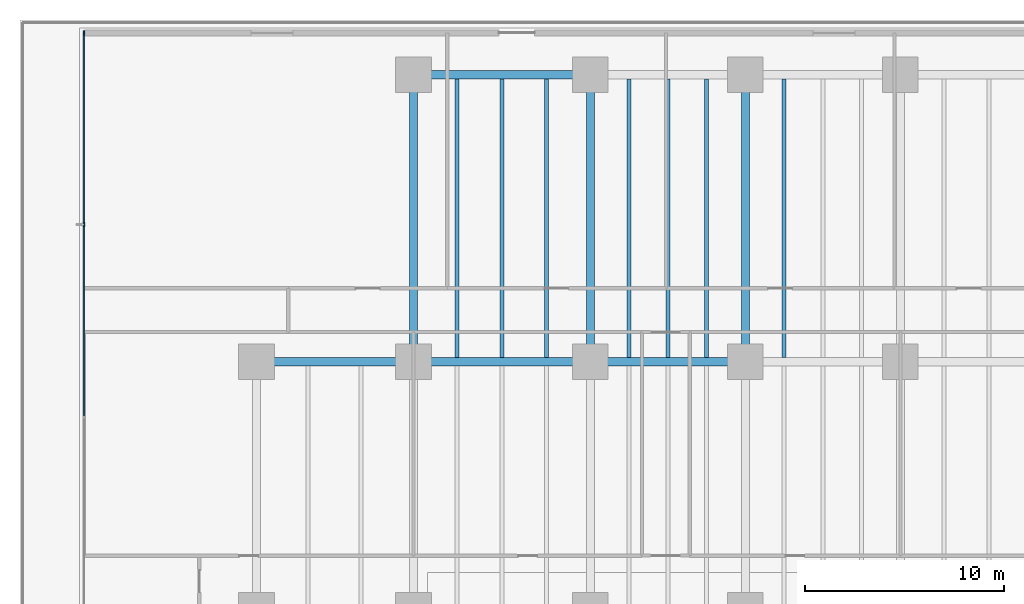
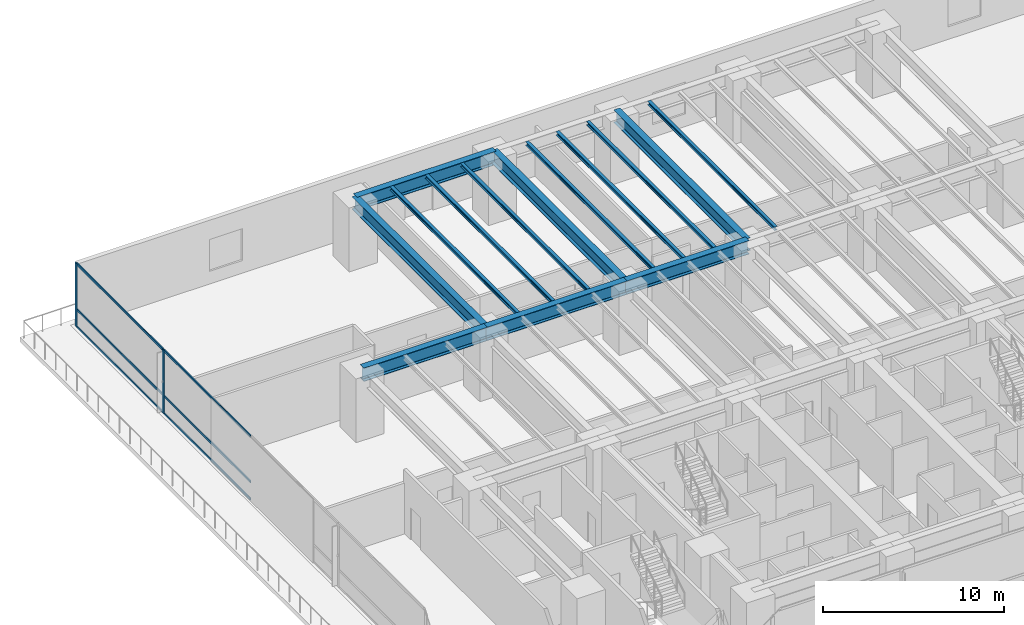
# One storey, part 4 of 24: 14 beams, 8 members, 1 element without a shape of its own.
"""IFC4 building model written with IfcOpenShell, lengths in metres."""

from ifc_helpers import new_model, si_unit, direction, frame, origin, origin_2d, place, context, subcontext, project, spatial, rectangle, i_section, extrude, material, layer, layer_set, material_profile, profile_set, type_object, element, aggregate, save


model = new_model("IFC4")

# Units and contexts
model_context = context("Model", 3, precision=1e-05, world=origin(), true_north=direction((0.0, 1.0)))
body_context = subcontext(model_context, "Body", "Model", "MODEL_VIEW")
ifc_project = project(units=[si_unit("LENGTHUNIT", "METRE"), si_unit("AREAUNIT", "SQUARE_METRE"), si_unit("VOLUMEUNIT", "CUBIC_METRE"), si_unit("PLANEANGLEUNIT", "RADIAN"), si_unit("MASSUNIT", "GRAM", prefix="KILO")], contexts=[model_context])

# Site, building, storey
site_placement = place(None, origin())
site = spatial("IfcSite", under=ifc_project, at=site_placement, CompositionType="ELEMENT")
building_placement = place(site_placement, origin())
building = spatial("IfcBuilding", under=site, at=building_placement, Name="Qalmaran Belvedere Hotel", CompositionType="ELEMENT")
storey_placement = place(building_placement, frame((0.0, 0.0, 14.60009765625)))
storey = spatial("IfcBuildingStorey", under=building, at=storey_placement, Name="L03", CompositionType="ELEMENT", Elevation=14.60009765625)

# Beams
ifc_material_1 = material(Name="Steel S355JR", Category="steel")
ifc_material_profile_1 = material_profile(ifc_material_1, i_section(OverallWidth=0.201904296875, OverallDepth=0.2470703125, WebThickness=0.00732421875, FlangeThickness=0.010986328125, FilletRadius=0.011962890625, at=origin_2d()), Name="W250X49")
ifc_profile_set_1 = profile_set([ifc_material_profile_1], Name="Steel S355JR")
beam_type_1 = type_object("IfcBeamType", Name="BM-JST-W250X49", PredefinedType="JOIST", material=ifc_profile_set_1)
for number, where, z_axis, x_axis, name in (
    (1, (22.5, 33.20703125, 4.176513671875), (0.0, 1.0, 0.0), (-1.0, 0.0, 0.0), "L03 Podium North-Ballroom Joist 044"),
    (2, (24.75, 33.20703125, 4.176513671875), (0.0, 1.0, 0.0), (-1.0, 0.0, 0.0), "L03 Podium North-Ballroom Joist 046"),
    (3, (27.0, 33.20703125, 4.176513671875), (0.0, 1.0, 0.0), (-1.0, 0.0, 0.0), "L03 Podium North-Ballroom Joist 048"),
    (4, (31.14990234375, 33.20703125, 4.176513671875), (0.0, 1.0, 0.0), (-1.0, 0.0, 0.0), "L03 Podium North-Ballroom Joist 050"),
    (5, (33.10009765625, 33.20703125, 4.176513671875), (0.0, 1.0, 0.0), (-1.0, 0.0, 0.0), "L03 Podium North-Ballroom Joist 052"),
    (6, (35.050048828125, 33.20703125, 4.176513671875), (0.0, 1.0, 0.0), (-1.0, 0.0, 0.0), "L03 Podium North-Ballroom Joist 054"),
    (7, (38.949951171875, 33.20703125, 4.176513671875), (0.0, 1.0, 0.0), (-1.0, 0.0, 0.0), "L03 Podium North-Ballroom Joist 056"),
):
    element("IfcBeam", number, at=place(storey_placement, frame(where, z_axis=z_axis, x_axis=x_axis)), inside=storey, type_object=beam_type_1, Name=name, PredefinedType="JOIST", context=body_context, shape_type="SweptSolid", body=[
        extrude(i_section(OverallWidth=0.201904296875, OverallDepth=0.2470703125, WebThickness=0.00732421875, FlangeThickness=0.010986328125, FilletRadius=0.011962890625, at=origin_2d()), origin(), (0.0, 0.0, 1.0), 14.035888671875),
    ])
ifc_material_profile_2 = material_profile(ifc_material_1, i_section(OverallWidth=0.41796875, OverallDepth=0.912109375, WebThickness=0.019287109375, FlangeThickness=0.031982421875, FilletRadius=0.02392578125, at=origin_2d()), Name="W920X342")
ifc_profile_set_2 = profile_set([ifc_material_profile_2], Name="Steel S355JR")
beam_type_2 = type_object("IfcBeamType", Name="BM-PG2-W920X342", PredefinedType="USERDEFINED", material=ifc_profile_set_2)
beam_1_placement = place(storey_placement, frame((12.39990234375, 33.0, 3.843994140625), z_axis=(1.0, 0.0, 0.0), x_axis=(0.0, 1.0, 0.0)))
element("IfcBeam", 8, at=beam_1_placement, inside=storey, type_object=beam_type_2, Name="L03 Podium Primary Girder GX12", ObjectType="GIRDER", PredefinedType="USERDEFINED", context=body_context, shape_type="SweptSolid", body=[
    extrude(i_section(OverallWidth=0.41796875, OverallDepth=0.912109375, WebThickness=0.019287109375, FlangeThickness=0.031982421875, FilletRadius=0.02392578125, at=origin_2d()), origin(), (0.0, 0.0, 1.0), 7.900146484375),
])
beam_2_placement = place(storey_placement, frame((20.300048828125, 33.0, 3.843994140625), z_axis=(1.0, 0.0, 0.0), x_axis=(0.0, 1.0, 0.0)))
element("IfcBeam", 9, at=beam_2_placement, inside=storey, type_object=beam_type_2, Name="L03 Podium Primary Girder GX13", ObjectType="GIRDER", PredefinedType="USERDEFINED", context=body_context, shape_type="SweptSolid", body=[
    extrude(i_section(OverallWidth=0.41796875, OverallDepth=0.912109375, WebThickness=0.019287109375, FlangeThickness=0.031982421875, FilletRadius=0.02392578125, at=origin_2d()), origin(), (0.0, 0.0, 1.0), 8.89990234375),
])
beam_3_placement = place(storey_placement, frame((29.199951171875, 33.0, 3.843994140625), z_axis=(1.0, 0.0, 0.0), x_axis=(0.0, 1.0, 0.0)))
element("IfcBeam", 10, at=beam_3_placement, inside=storey, type_object=beam_type_2, Name="L03 Podium Primary Girder GX14", ObjectType="GIRDER", PredefinedType="USERDEFINED", context=body_context, shape_type="SweptSolid", body=[
    extrude(i_section(OverallWidth=0.41796875, OverallDepth=0.912109375, WebThickness=0.019287109375, FlangeThickness=0.031982421875, FilletRadius=0.02392578125, at=origin_2d()), origin(), (0.0, 0.0, 1.0), 7.800048828125),
])
beam_4_placement = place(storey_placement, frame((20.300048828125, 47.449951171875, 3.843994140625), z_axis=(1.0, 0.0, 0.0), x_axis=(0.0, 1.0, 0.0)))
element("IfcBeam", 11, at=beam_4_placement, inside=storey, type_object=beam_type_2, Name="L03 Podium Primary Girder GX18", ObjectType="GIRDER", PredefinedType="USERDEFINED", context=body_context, shape_type="SweptSolid", body=[
    extrude(i_section(OverallWidth=0.41796875, OverallDepth=0.912109375, WebThickness=0.019287109375, FlangeThickness=0.031982421875, FilletRadius=0.02392578125, at=origin_2d()), origin(), (0.0, 0.0, 1.0), 8.89990234375),
])
ifc_material_profile_3 = material_profile(ifc_material_1, i_section(OverallWidth=0.39990234375, OverallDepth=0.85498046875, WebThickness=0.018310546875, FlangeThickness=0.029296875, FilletRadius=0.02392578125, at=origin_2d()), Name="W840X299")
ifc_profile_set_3 = profile_set([ifc_material_profile_3], Name="Steel S355JR")
beam_type_3 = type_object("IfcBeamType", Name="BM-PG3-W840X299", PredefinedType="USERDEFINED", material=ifc_profile_set_3)
for number, where, z_axis, x_axis, name in (
    (12, (20.300048828125, 33.0, 3.872314453125), (0.0, 1.0, 0.0), (-1.0, 0.0, 0.0), "L03 Podium Transverse Girder GY27"),
    (13, (29.199951171875, 33.0, 3.872314453125), (0.0, 1.0, 0.0), (-1.0, 0.0, 0.0), "L03 Podium Transverse Girder GY30"),
    (14, (37.0, 33.0, 3.872314453125), (0.0, 1.0, 0.0), (-1.0, 0.0, 0.0), "L03 Podium Transverse Girder GY33"),
):
    element("IfcBeam", number, at=place(storey_placement, frame(where, z_axis=z_axis, x_axis=x_axis)), inside=storey, type_object=beam_type_3, Name=name, ObjectType="GIRDER", PredefinedType="USERDEFINED", context=body_context, shape_type="SweptSolid", body=[
        extrude(i_section(OverallWidth=0.39990234375, OverallDepth=0.85498046875, WebThickness=0.018310546875, FlangeThickness=0.029296875, FilletRadius=0.02392578125, at=origin_2d()), origin(), (0.0, 0.0, 1.0), 14.449951171875),
    ])

# Curtain wall, members
ifc_material_2 = material(Name="Anodised Bronze Aluminium", Category="aluminium")
ifc_layer = layer(ifc_material_2, 0.219970703125, Name="Anodised Bronze Aluminium")
ifc_layer_set = layer_set([ifc_layer], Name="Anodised Bronze Aluminium")
curtain_wall_type = type_object("IfcCurtainWallType", Name="CW1-PODIUM-BRONZE", PredefinedType="NOTDEFINED", material=ifc_layer_set)
curtain_wall_placement = place(storey_placement, origin())
curtain_wall = element("IfcCurtainWall", 15, at=curtain_wall_placement, inside=storey, type_object=curtain_wall_type, Name="L03 Curtain Wall CW1", PredefinedType="NOTDEFINED")
ifc_material_profile_4 = material_profile(ifc_material_2, rectangle(XDim=0.074951171875, YDim=0.219970703125, at=origin_2d()), Name="CWM75X220")
ifc_profile_set_4 = profile_set([ifc_material_profile_4], Name="Anodised Bronze Aluminium")
member_type_1 = type_object("IfcMemberType", Name="CWM-75X220", PredefinedType="MULLION", material=ifc_profile_set_4)
member_1_placement = place(storey_placement, frame((3.719970703125, 49.54248046875, 0.0), z_axis=(0.0, 0.0, 1.0), x_axis=(1.0, 0.0, 0.0)))
member_1 = element("IfcMember", 16, at=member_1_placement, type_object=member_type_1, Name="CW1 mullion 1", PredefinedType="MULLION", context=body_context, shape_type="SweptSolid", body=[
    extrude(rectangle(XDim=0.074951171875, YDim=0.219970703125, at=origin_2d()), origin(), (0.0, 0.0, 1.0), 4.2998046875),
])
member_2_placement = place(storey_placement, frame((3.719970703125, 39.907958984375, 0.0), z_axis=(0.0, 0.0, 1.0), x_axis=(1.0, 0.0, 0.0)))
member_2 = element("IfcMember", 17, at=member_2_placement, type_object=member_type_1, Name="CW1 mullion 2", PredefinedType="MULLION", context=body_context, shape_type="SweptSolid", body=[
    extrude(rectangle(XDim=0.074951171875, YDim=0.219970703125, at=origin_2d()), origin(), (0.0, 0.0, 1.0), 4.2998046875),
])
ifc_material_profile_5 = material_profile(ifc_material_2, rectangle(XDim=0.070068359375, YDim=0.14990234375, at=origin_2d()), Name="CWT70X150")
ifc_profile_set_5 = profile_set([ifc_material_profile_5], Name="Anodised Bronze Aluminium")
member_type_2 = type_object("IfcMemberType", Name="CWT-70X150", PredefinedType="USERDEFINED", material=ifc_profile_set_5)
member_3_placement = place(storey_placement, frame((3.719970703125, 49.5048828125, 0.034912109375), z_axis=(0.0, -1.0, 0.0), x_axis=(1.0, 0.0, 0.0)))
member_3 = element("IfcMember", 18, at=member_3_placement, type_object=member_type_2, Name="CW1 transom 1.1", ObjectType="TRANSOM", PredefinedType="USERDEFINED", context=body_context, shape_type="SweptSolid", body=[
    extrude(rectangle(XDim=0.070068359375, YDim=0.14990234375, at=origin_2d()), origin(), (0.0, 0.0, 1.0), 9.559326171875),
])
member_4_placement = place(storey_placement, frame((3.719970703125, 49.5048828125, 1.203857421875), z_axis=(0.0, -1.0, 0.0), x_axis=(1.0, 0.0, 0.0)))
member_4 = element("IfcMember", 19, at=member_4_placement, type_object=member_type_2, Name="CW1 transom 1.2", ObjectType="TRANSOM", PredefinedType="USERDEFINED", context=body_context, shape_type="SweptSolid", body=[
    extrude(rectangle(XDim=0.070068359375, YDim=0.14990234375, at=origin_2d()), origin(), (0.0, 0.0, 1.0), 9.559326171875),
])
member_5_placement = place(storey_placement, frame((3.719970703125, 49.5048828125, 4.264892578125), z_axis=(0.0, -1.0, 0.0), x_axis=(1.0, 0.0, 0.0)))
member_5 = element("IfcMember", 20, at=member_5_placement, type_object=member_type_2, Name="CW1 transom 1.3", ObjectType="TRANSOM", PredefinedType="USERDEFINED", context=body_context, shape_type="SweptSolid", body=[
    extrude(rectangle(XDim=0.070068359375, YDim=0.14990234375, at=origin_2d()), origin(), (0.0, 0.0, 1.0), 9.559326171875),
])
member_6_placement = place(storey_placement, frame((3.719970703125, 39.87060546875, 0.034912109375), z_axis=(0.0, -1.0, 0.0), x_axis=(1.0, 0.0, 0.0)))
member_6 = element("IfcMember", 21, at=member_6_placement, type_object=member_type_2, Name="CW1 transom 2.1", ObjectType="TRANSOM", PredefinedType="USERDEFINED", context=body_context, shape_type="SweptSolid", body=[
    extrude(rectangle(XDim=0.070068359375, YDim=0.14990234375, at=origin_2d()), origin(), (0.0, 0.0, 1.0), 9.59716796875),
])
member_7_placement = place(storey_placement, frame((3.719970703125, 39.87060546875, 1.203857421875), z_axis=(0.0, -1.0, 0.0), x_axis=(1.0, 0.0, 0.0)))
member_7 = element("IfcMember", 22, at=member_7_placement, type_object=member_type_2, Name="CW1 transom 2.2", ObjectType="TRANSOM", PredefinedType="USERDEFINED", context=body_context, shape_type="SweptSolid", body=[
    extrude(rectangle(XDim=0.070068359375, YDim=0.14990234375, at=origin_2d()), origin(), (0.0, 0.0, 1.0), 9.59716796875),
])
member_8_placement = place(storey_placement, frame((3.719970703125, 39.87060546875, 4.264892578125), z_axis=(0.0, -1.0, 0.0), x_axis=(1.0, 0.0, 0.0)))
member_8 = element("IfcMember", 23, at=member_8_placement, type_object=member_type_2, Name="CW1 transom 2.3", ObjectType="TRANSOM", PredefinedType="USERDEFINED", context=body_context, shape_type="SweptSolid", body=[
    extrude(rectangle(XDim=0.070068359375, YDim=0.14990234375, at=origin_2d()), origin(), (0.0, 0.0, 1.0), 9.59716796875),
])
aggregate(curtain_wall, [member_1, member_2, member_3, member_4, member_5, member_6, member_7, member_8])

save(model, "model.ifc")
